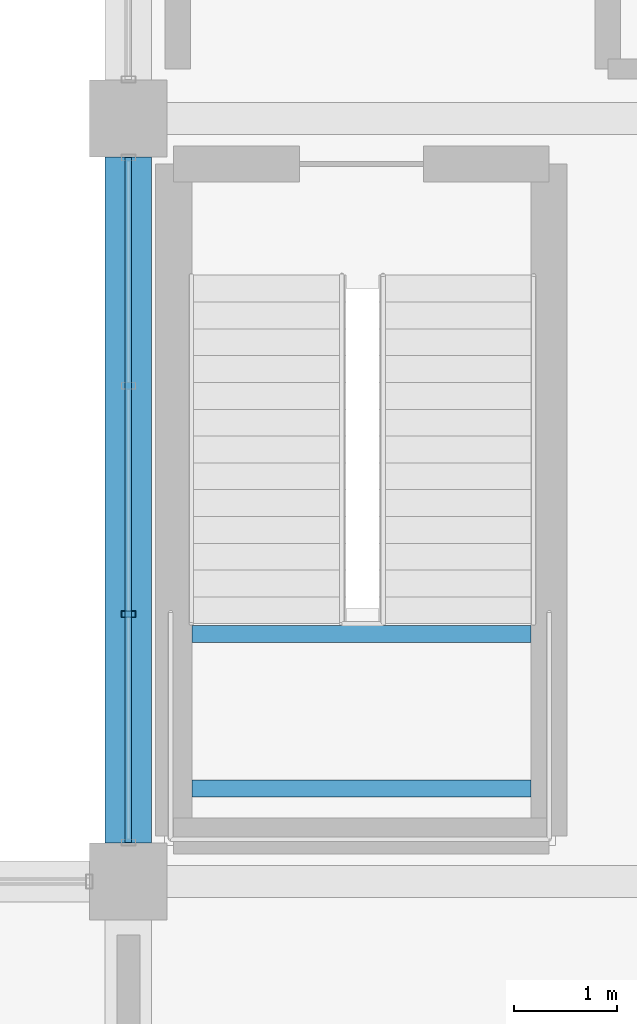
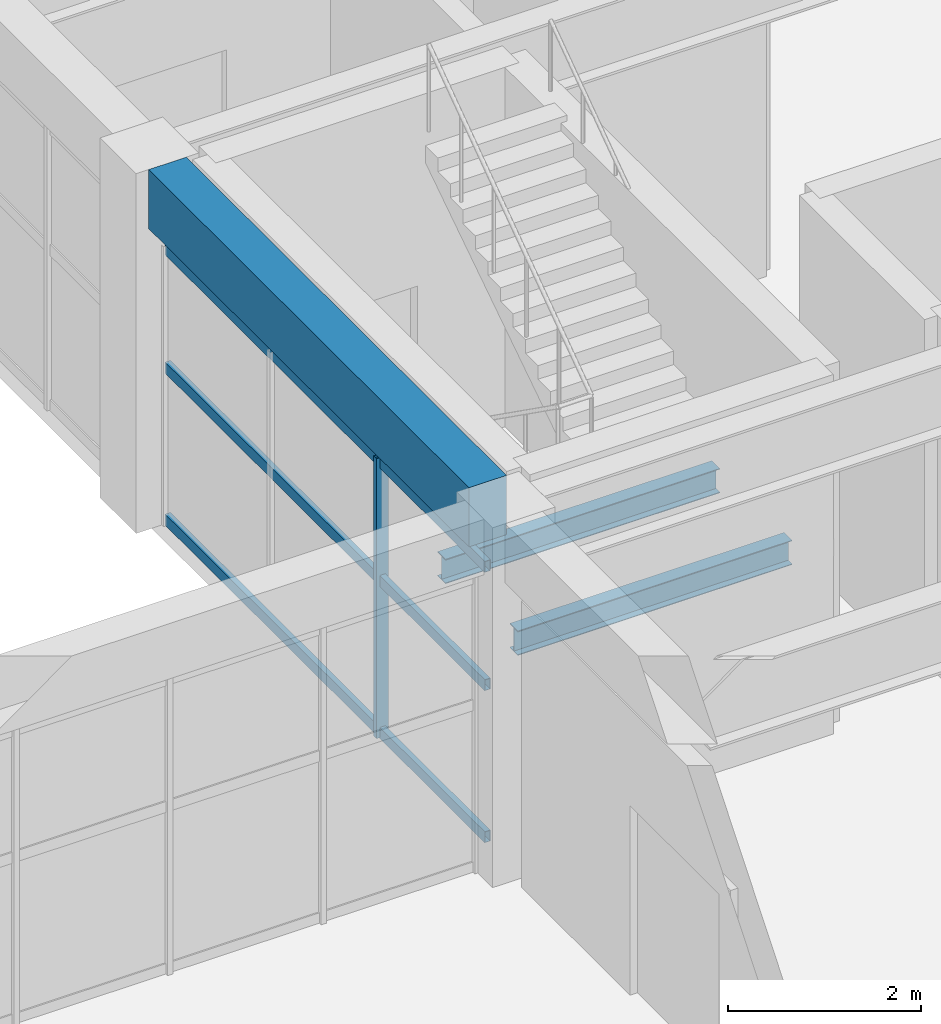
# One storey, part 51 of 161: 4 members, 3 beams, 1 element without a shape of its own.
"""IFC4 building model written with IfcOpenShell, lengths in metres."""

from ifc_helpers import new_model, si_unit, direction, frame, origin, origin_2d, place, context, subcontext, project, spatial, rectangle, hollow_rectangle, i_section, extrude, material, material_profile, profile_set, type_object, element, aggregate, save


model = new_model("IFC4")

# Units and contexts
model_context = context("Model", 3, precision=1e-05, world=origin(), true_north=direction((0.0, 1.0)))
body_context = subcontext(model_context, "Body", "Model", "MODEL_VIEW")
ifc_project = project(units=[si_unit("LENGTHUNIT", "METRE"), si_unit("AREAUNIT", "SQUARE_METRE"), si_unit("VOLUMEUNIT", "CUBIC_METRE"), si_unit("PLANEANGLEUNIT", "RADIAN"), si_unit("MASSUNIT", "GRAM", prefix="KILO")], contexts=[model_context])

# Site, building, storey
site_placement = place(None, origin())
site = spatial("IfcSite", under=ifc_project, at=site_placement, CompositionType="ELEMENT")
building_placement = place(site_placement, origin())
building = spatial("IfcBuilding", under=site, at=building_placement, Name="Cimatlan Art Gallery", CompositionType="ELEMENT")
storey_placement = place(building_placement, frame((0.0, 0.0, 5.39990234375)))
storey = spatial("IfcBuildingStorey", under=building, at=storey_placement, Name="L01", CompositionType="ELEMENT", Elevation=5.39990234375)

# Beams
ifc_material_1 = material(Name="Concrete C40/50", Category="concrete")
ifc_material_profile_1 = material_profile(ifc_material_1, rectangle(XDim=0.449951171875, YDim=0.75, at=origin_2d()), Name="RC450X750")
ifc_profile_set_1 = profile_set([ifc_material_profile_1], Name="Concrete C40/50")
beam_type_1 = type_object("IfcBeamType", Name="BM-RC-450X750", PredefinedType="BEAM", material=ifc_profile_set_1)
beam_placement = place(storey_placement, frame((74.89990234375, 61.27490234375, 4.18505859375), z_axis=(0.0, 1.0, 0.0), x_axis=(-1.0, 0.0, 0.0)))
element("IfcBeam", 1, at=beam_placement, inside=storey, type_object=beam_type_1, Name="BM-Y-L01-09-08", PredefinedType="BEAM", context=body_context, shape_type="SweptSolid", body=[
    extrude(rectangle(XDim=0.449951171875, YDim=0.75, at=origin_2d()), origin(), (0.0, 0.0, 1.0), 6.650146484375),
])
ifc_material_2 = material(Name="Steel ASTM A992 Grade 50", Category="steel")
ifc_material_profile_2 = material_profile(ifc_material_2, i_section(OverallWidth=0.1650390625, OverallDepth=0.31005859375, WebThickness=0.005859375, FlangeThickness=0.009765625, at=origin_2d()), Name="W12X26")
ifc_profile_set_2 = profile_set([ifc_material_profile_2], Name="Steel ASTM A992 Grade 50")
beam_type_2 = type_object("IfcBeamType", Name="BM-STL-W12X26", PredefinedType="JOIST", material=ifc_profile_set_2)
for number, where, z_axis, x_axis, name in (
    (2, (75.514892578125, 61.800048828125, 2.025146484375), (1.0, 0.0, 0.0), (0.0, 1.0, 0.0), "BM-STR-C6-L01-LH1"),
    (3, (75.514892578125, 63.300048828125, 2.025146484375), (1.0, 0.0, 0.0), (0.0, 1.0, 0.0), "BM-STR-C6-L01-LH2"),
):
    element("IfcBeam", number, at=place(storey_placement, frame(where, z_axis=z_axis, x_axis=x_axis)), inside=storey, type_object=beam_type_2, Name=name, PredefinedType="JOIST", context=body_context, shape_type="SweptSolid", body=[
        extrude(i_section(OverallWidth=0.1650390625, OverallDepth=0.31005859375, WebThickness=0.005859375, FlangeThickness=0.009765625, at=origin_2d()), origin(), (0.0, 0.0, 1.0), 3.2900390625),
    ])

# Curtain wall, members
ifc_material_3 = material(Name="Anodised bronze unitised curtain wall")
curtain_wall_type = type_object("IfcCurtainWallType", Name="CW-V-06642X03547-B3", PredefinedType="NOTDEFINED", material=ifc_material_3)
curtain_wall_placement = place(storey_placement, origin())
curtain_wall = element("IfcCurtainWall", 4, at=curtain_wall_placement, inside=storey, type_object=curtain_wall_type, Name="CW-L01-09-08-W", PredefinedType="NOTDEFINED")
ifc_material_4 = material(Name="Anodised bronze aluminium 6063-T6", Category="aluminium")
ifc_material_profile_3 = material_profile(ifc_material_4, hollow_rectangle(XDim=0.06494140625, YDim=0.139892578125, WallThickness=0.00390625, at=origin_2d()), Name="ALU65X140X4")
ifc_profile_set_3 = profile_set([ifc_material_profile_3], Name="Anodised bronze aluminium 6063-T6")
member_type_1 = type_object("IfcMemberType", Name="CW-MUL-140", PredefinedType="MULLION", material=ifc_profile_set_3)
member_1_placement = place(storey_placement, frame((74.89990234375, 63.492919921875, 0.0), z_axis=(0.0, 0.0, 1.0), x_axis=(0.0, 1.0, 0.0)))
member_1 = element("IfcMember", 5, at=member_1_placement, type_object=member_type_1, Name="CW-L01-09-08-W-M2", PredefinedType="MULLION", context=body_context, shape_type="SweptSolid", body=[
    extrude(hollow_rectangle(XDim=0.06494140625, YDim=0.139892578125, WallThickness=0.00390625, at=origin_2d()), origin(), (0.0, 0.0, 1.0), 3.547119140625),
])
ifc_material_profile_4 = material_profile(ifc_material_4, hollow_rectangle(XDim=0.06494140625, YDim=0.139892578125, WallThickness=0.00390625, at=origin_2d()), Name="ALU65X140X4")
ifc_profile_set_4 = profile_set([ifc_material_profile_4], Name="Anodised bronze aluminium 6063-T6")
member_type_2 = type_object("IfcMemberType", Name="CW-TRN-140", PredefinedType="USERDEFINED", material=ifc_profile_set_4)
member_2_placement = place(storey_placement, frame((74.89990234375, 61.279052734375, 0.06005859375), z_axis=(0.0, 1.0, 0.0), x_axis=(-1.0, 0.0, 0.0)))
member_2 = element("IfcMember", 6, at=member_2_placement, type_object=member_type_2, Name="CW-L01-09-08-W-T1", ObjectType="TRANSOM", PredefinedType="USERDEFINED", context=body_context, shape_type="SweptSolid", body=[
    extrude(hollow_rectangle(XDim=0.06494140625, YDim=0.139892578125, WallThickness=0.00390625, at=origin_2d()), origin(), (0.0, 0.0, 1.0), 6.641845703125),
])
member_3_placement = place(storey_placement, frame((74.89990234375, 61.279052734375, 1.986328125), z_axis=(0.0, 1.0, 0.0), x_axis=(-1.0, 0.0, 0.0)))
member_3 = element("IfcMember", 7, at=member_3_placement, type_object=member_type_2, Name="CW-L01-09-08-W-T2", ObjectType="TRANSOM", PredefinedType="USERDEFINED", context=body_context, shape_type="SweptSolid", body=[
    extrude(hollow_rectangle(XDim=0.06494140625, YDim=0.139892578125, WallThickness=0.00390625, at=origin_2d()), origin(), (0.0, 0.0, 1.0), 6.641845703125),
])
member_4_placement = place(storey_placement, frame((74.89990234375, 61.279052734375, 3.487060546875), z_axis=(0.0, 1.0, 0.0), x_axis=(-1.0, 0.0, 0.0)))
member_4 = element("IfcMember", 8, at=member_4_placement, type_object=member_type_2, Name="CW-L01-09-08-W-T3", ObjectType="TRANSOM", PredefinedType="USERDEFINED", context=body_context, shape_type="SweptSolid", body=[
    extrude(hollow_rectangle(XDim=0.06494140625, YDim=0.139892578125, WallThickness=0.00390625, at=origin_2d()), origin(), (0.0, 0.0, 1.0), 6.641845703125),
])
aggregate(curtain_wall, [member_1, member_2, member_3, member_4])

save(model, "model.ifc")
